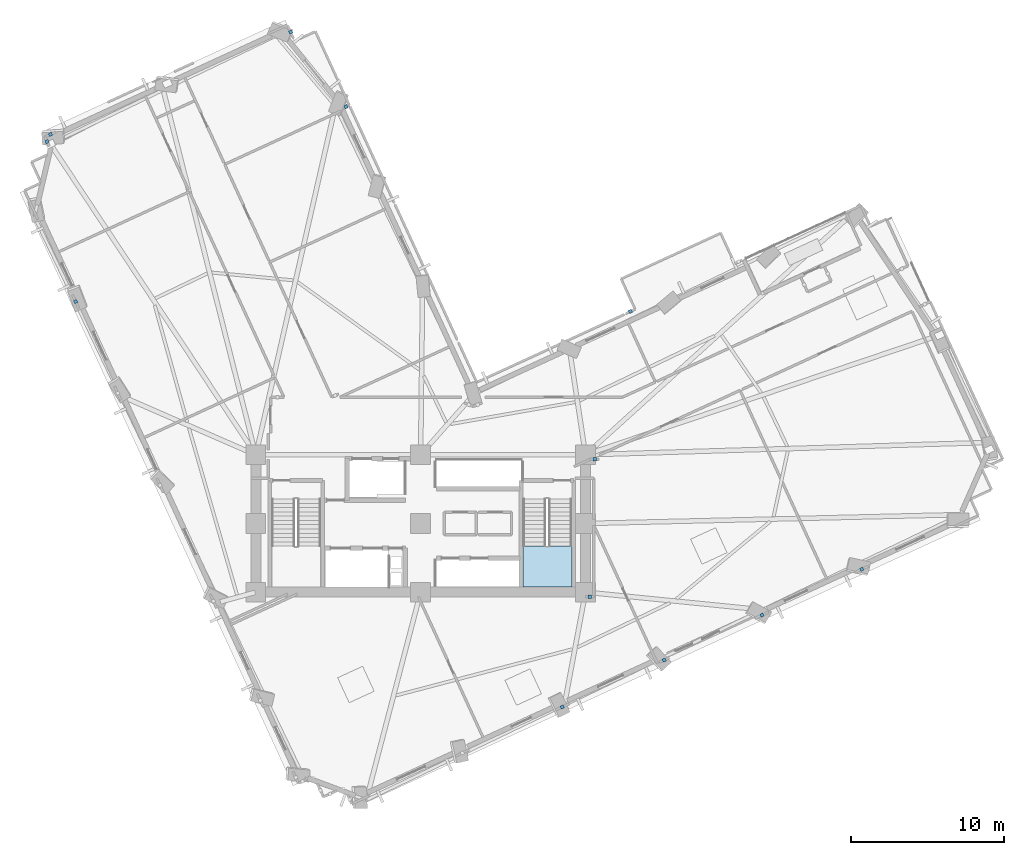
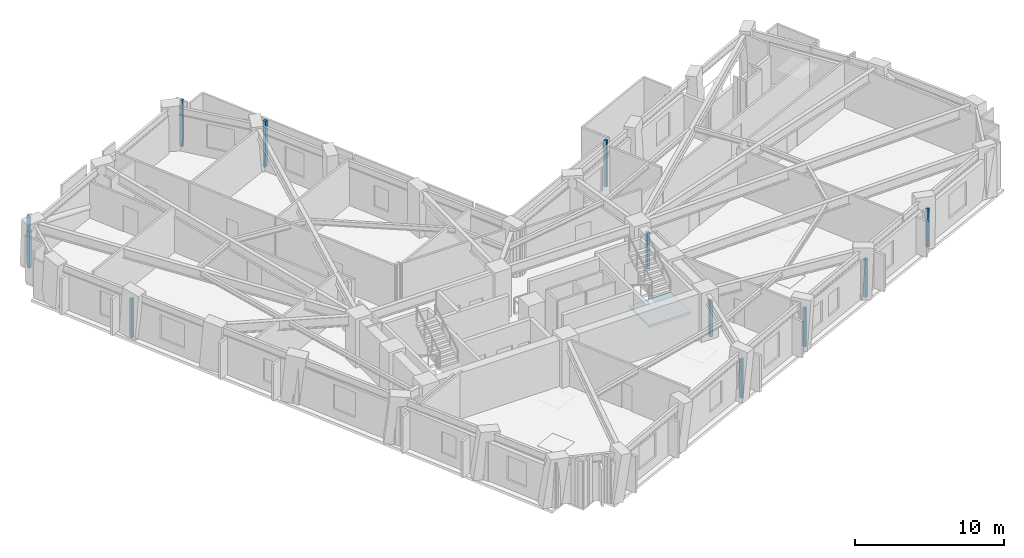
# One storey, part 5 of 16: 12 plates, 1 slab, 1 element without a shape of its own.
"""IFC4 building model written with IfcOpenShell, lengths in metres."""

from ifc_helpers import new_model, si_unit, direction, frame, origin, origin_2d, place, context, subcontext, project, spatial, polyline, rectangle, outline, extrude, material, layer, layer_set, type_object, element, aggregate, save


model = new_model("IFC4")

# Units and contexts
model_context = context("Model", 3, precision=1e-05, world=origin(), true_north=direction((0.0, 1.0)))
body_context = subcontext(model_context, "Body", "Model", "MODEL_VIEW")
ifc_project = project(units=[si_unit("LENGTHUNIT", "METRE"), si_unit("AREAUNIT", "SQUARE_METRE"), si_unit("VOLUMEUNIT", "CUBIC_METRE"), si_unit("PLANEANGLEUNIT", "RADIAN"), si_unit("MASSUNIT", "GRAM", prefix="KILO")], contexts=[model_context])

# Site, building, storey
site_placement = place(None, origin())
site = spatial("IfcSite", under=ifc_project, at=site_placement, CompositionType="ELEMENT")
building_placement = place(site_placement, origin())
building = spatial("IfcBuilding", under=site, at=building_placement, Name="Gaonmaruhae Medical Tower", CompositionType="ELEMENT")
storey_placement = place(building_placement, frame((0.0, 0.0, 128.39990234375)))
storey = spatial("IfcBuildingStorey", under=building, at=storey_placement, Name="L30", CompositionType="ELEMENT", Elevation=128.39990234375)

# Plates
ifc_material_1 = material(Name="Anodised aluminium 6063-T6", Category="aluminium")
ifc_layer_1 = layer(ifc_material_1, 0.011962890625)
ifc_layer_set_1 = layer_set([ifc_layer_1], Name="Anodised aluminium 6063-T6")
plate_type = type_object("IfcPlateType", Name="PP-01 Interior Partition Corner Stiffener Plate", PredefinedType="SHEET", material=ifc_layer_set_1)
plate_1_placement = place(storey_placement, frame((34.076416015625, 0.275390625, 0.0), z_axis=(0.0, 0.0, 1.0), x_axis=(-0.908464413608, -0.417962210264, 0.0)))
element("IfcPlate", 1, at=plate_1_placement, inside=storey, type_object=plate_type, Name="L30 Partition Corner Stiffener Plate PLT-L30-JGP-PW019", PredefinedType="SHEET", context=body_context, shape_type="SweptSolid", body=[
    extrude(rectangle(XDim=0.219970703125, YDim=0.219970703125, at=origin_2d()), origin(), (0.0, 0.0, 1.0), 3.1650390625),
])
for number, where, z_axis, x_axis, name in (
    (2, (35.875, 7.5, 0.0), (0.0, 0.0, 1.0), (1.0, 0.0, 0.0), "L30 Partition Corner Stiffener Plate PLT-L30-JGP-PW020"),
    (3, (36.197998046875, 16.5, 0.0), (0.0, 0.0, 1.0), (1.0, 0.0, 0.0), "L30 Partition Corner Stiffener Plate PLT-L30-JGP-PW023"),
):
    element("IfcPlate", number, at=place(storey_placement, frame(where, z_axis=z_axis, x_axis=x_axis)), inside=storey, type_object=plate_type, Name=name, PredefinedType="SHEET", context=body_context, shape_type="SweptSolid", body=[
        extrude(rectangle(XDim=0.219970703125, YDim=0.219970703125, at=origin_2d()), origin(), (0.0, 0.0, 1.0), 2.965087890625),
    ])
for number, where, z_axis, x_axis, name in (
    (4, (47.158447265625, 6.2919921875, 0.0), (0.0, 0.0, 1.0), (-0.90831116144, -0.418295151781, 0.0), "L30 Partition Corner Stiffener Plate PLT-L30-JGP-PW026"),
    (5, (40.759033203125, 3.34912109375, 0.0), (0.0, 0.0, 1.0), (-0.90864669754, -0.41756577811, 0.0), "L30 Partition Corner Stiffener Plate PLT-L30-JGP-PW027"),
    (6, (53.698974609375, 9.300537109375, 0.0), (0.0, 0.0, 1.0), (-0.90834766112, -0.418215885086, 0.0), "L30 Partition Corner Stiffener Plate PLT-L30-JGP-PW036"),
    (7, (2.196533203125, 26.83544921875, 0.0), (0.0, 0.0, 1.0), (-0.417407182985, 0.908719562677, 0.0), "L30 Partition Corner Stiffener Plate PLT-L30-JGP-PW050"),
):
    element("IfcPlate", number, at=place(storey_placement, frame(where, z_axis=z_axis, x_axis=x_axis)), inside=storey, type_object=plate_type, Name=name, PredefinedType="SHEET", context=body_context, shape_type="SweptSolid", body=[
        extrude(rectangle(XDim=0.219970703125, YDim=0.219970703125, at=origin_2d()), origin(), (0.0, 0.0, 1.0), 3.1650390625),
    ])
plate_2_placement = place(storey_placement, frame((0.322509765625, 37.323974609375, 0.0), z_axis=(0.0, 0.0, 1.0), x_axis=(-0.418390267609, 0.908267352694, 0.0)))
element("IfcPlate", 8, at=plate_2_placement, inside=storey, type_object=plate_type, Name="L30 Partition Corner Stiffener Plate PLT-L30-JGP-PW052", PredefinedType="SHEET", context=body_context, shape_type="SweptSolid", body=[
    extrude(rectangle(XDim=0.219970703125, YDim=0.219970703125, at=origin_2d()), origin(), (0.0, 0.0, 1.0), 2.965087890625),
])
for number, where, z_axis, x_axis, name in (
    (9, (0.5419921875, 37.79443359375, 0.0), (0.0, 0.0, 1.0), (0.908588385502, 0.417692645052, 0.0), "L30 Partition Corner Stiffener Plate PLT-L30-JGP-PW053"),
    (10, (38.5419921875, 26.193115234375, 0.0), (0.0, 0.0, 1.0), (0.908581095252, 0.417708502848, 0.0), "L30 Partition Corner Stiffener Plate PLT-L30-JGP-PW079"),
    (11, (19.900390625, 39.610595703125, 0.0), (0.0, 0.0, 1.0), (-0.90887248936, -0.417074091841, 0.0), "L30 Partition Corner Stiffener Plate PLT-L30-JGP-PW090"),
    (12, (16.283447265625, 44.49951171875, 0.0), (0.0, 0.0, 1.0), (0.416772675383, -0.909010746391, 0.0), "L30 Partition Corner Stiffener Plate PLT-L30-JGP-PW093"),
):
    element("IfcPlate", number, at=place(storey_placement, frame(where, z_axis=z_axis, x_axis=x_axis)), inside=storey, type_object=plate_type, Name=name, PredefinedType="SHEET", context=body_context, shape_type="SweptSolid", body=[
        extrude(rectangle(XDim=0.219970703125, YDim=0.219970703125, at=origin_2d()), origin(), (0.0, 0.0, 1.0), 3.780029296875),
    ])

# Stair, slab
ifc_material_2 = material(Name="Concrete C40/50", Category="concrete")
stair_type = type_object("IfcStairType", Name="ST-T1 Primary Core Escape Dogleg Stair", PredefinedType="TWO_QUARTER_TURN_STAIR", material=ifc_material_2)
stair_placement = place(storey_placement, origin())
stair = element("IfcStair", 13, at=stair_placement, inside=storey, type_object=stair_type, Name="L30 Protected Escape Stair ST-02", PredefinedType="TWO_QUARTER_TURN_STAIR")
ifc_layer_2 = layer(ifc_material_2, 0.199951171875)
ifc_layer_set_2 = layer_set([ifc_layer_2], Name="Concrete C40/50")
slab_type = type_object("IfcSlabType", Name="SL-200 Stair & Ramp Intermediate Concrete Landing", PredefinedType="LANDING", material=ifc_layer_set_2)
slab_placement = place(storey_placement, frame((0.0, 0.0, 1.800048828125)))
slab = element("IfcSlab", 14, at=slab_placement, type_object=slab_type, Name="ST-02 landing 1", PredefinedType="LANDING", context=body_context, shape_type="SweptSolid", body=[
    extrude(outline(polyline([(31.5, 10.820068359375), (31.5, 8.12890625), (34.699951171875, 8.12890625), (34.699951171875, 10.820068359375), (31.5, 10.820068359375)])), origin(), (0.0, 0.0, 1.0), 0.199951171875),
])
aggregate(stair, [slab])

save(model, "model.ifc")
